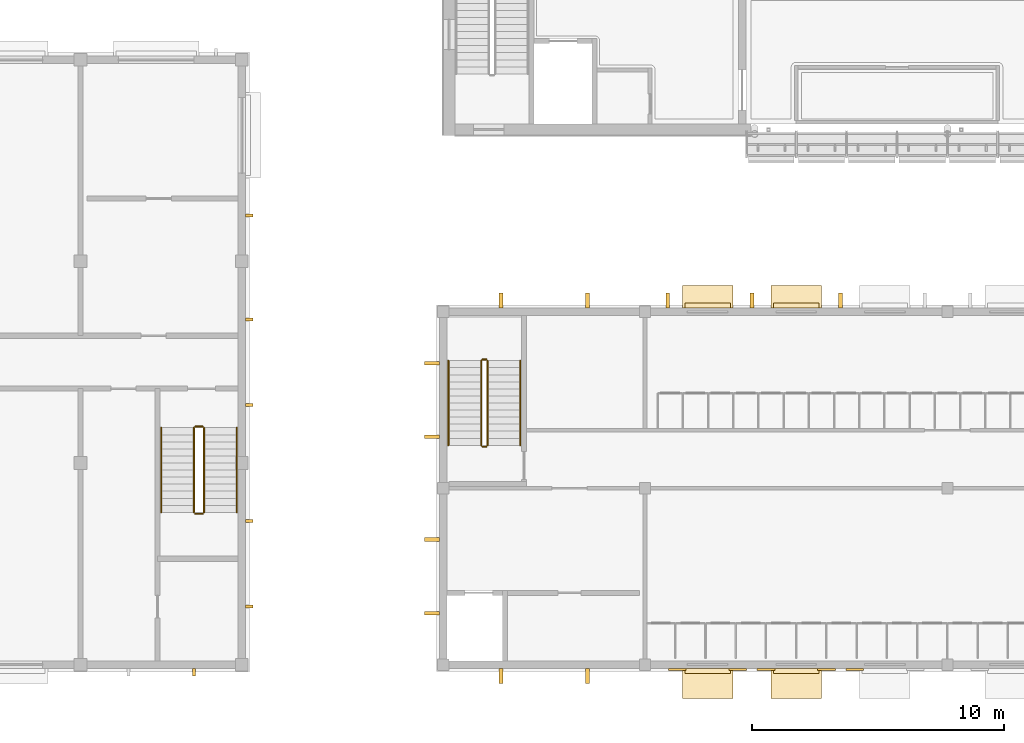
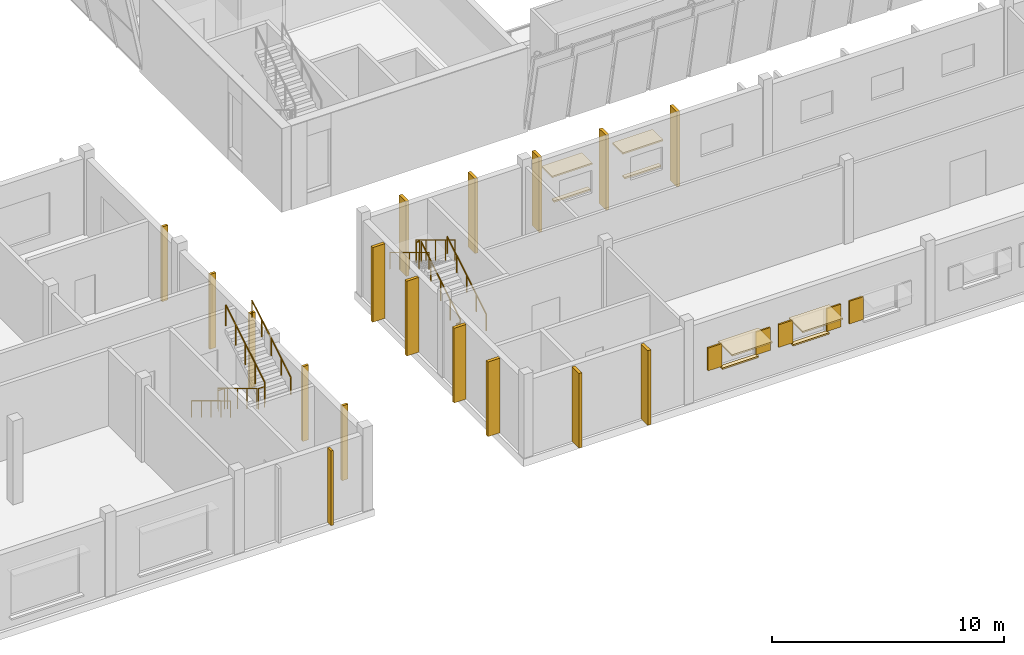
# One storey, part 95 of 115: 22 shading devices, 12 railings, 8 coverings.
"""IFC4 building model written with IfcOpenShell, lengths in metres."""

from ifc_helpers import new_model, si_unit, direction, frame, origin, origin_2d, place, context, subcontext, project, spatial, polyline, circle, outline, extrude, material, layer, layer_set, type_object, element, save


model = new_model("IFC4")

# Units and contexts
model_context = context("Model", 3, precision=1e-05, world=origin(), true_north=direction((0.0, 1.0)))
body_context = subcontext(model_context, "Body", "Model", "MODEL_VIEW")
ifc_project = project(units=[si_unit("LENGTHUNIT", "METRE"), si_unit("AREAUNIT", "SQUARE_METRE"), si_unit("VOLUMEUNIT", "CUBIC_METRE"), si_unit("PLANEANGLEUNIT", "RADIAN"), si_unit("MASSUNIT", "GRAM", prefix="KILO")], contexts=[model_context])

# Site, building, storey
site_placement = place(None, origin())
site = spatial("IfcSite", under=ifc_project, at=site_placement, CompositionType="ELEMENT")
building_placement = place(site_placement, origin())
building = spatial("IfcBuilding", under=site, at=building_placement, Name="Windward Yard Aquatics Centre", CompositionType="ELEMENT")
storey_placement = place(building_placement, frame((0.0, 0.0, 5.0)))
storey = spatial("IfcBuildingStorey", under=building, at=storey_placement, Name="L01", CompositionType="ELEMENT", Elevation=5.0)

# Railings
ifc_material_1 = material(Name="Stainless steel 1.4401", Category="steel")
railing_type_1 = type_object("IfcRailingType", Name="C Village stair 1 stair guard", PredefinedType="GUARDRAIL", material=ifc_material_1)
railing_1_placement = place(storey_placement, frame((53.75, 13.699951171875, 0.169189453125)))
element("IfcRailing", 1, at=railing_1_placement, inside=storey, type_object=railing_type_1, Name="L01 C-ST1 stair guard 1", PredefinedType="GUARDRAIL", context=body_context, shape_type="SweptSolid", body=[
    extrude(circle(Radius=0.02392578125, at=origin_2d()), frame((0.0, 0.0, 1.076171875), z_axis=(0.0, 0.855836976705, 0.517245656632), x_axis=(-1.0, 0.0, 0.0)), (0.0, 0.0, 1.0), 3.926025390625),
    extrude(circle(Radius=0.02099609375, at=origin_2d()), origin(), (0.0, 0.0, 1.0), 1.052001953125),
    extrude(circle(Radius=0.02099609375, at=origin_2d()), frame((0.0, 0.840087890625, 0.5078125)), (0.0, 0.0, 1.0), 1.052001953125),
    extrude(circle(Radius=0.02099609375, at=origin_2d()), frame((0.0, 1.68017578125, 1.015380859375)), (0.0, 0.0, 1.0), 1.052001953125),
    extrude(circle(Radius=0.02099609375, at=origin_2d()), frame((0.0, 2.52001953125, 1.52294921875)), (0.0, 0.0, 1.0), 1.052001953125),
    extrude(circle(Radius=0.02099609375, at=origin_2d()), frame((0.0, 3.360107421875, 2.03076171875)), (0.0, 0.0, 1.0), 1.052001953125),
])
railing_2_placement = place(storey_placement, frame((53.699951171875, 17.110107421875, 2.199951171875)))
element("IfcRailing", 2, at=railing_2_placement, inside=storey, type_object=railing_type_1, Name="L01 C-ST1 stair guard 2", PredefinedType="GUARDRAIL", context=body_context, shape_type="SweptSolid", body=[
    extrude(circle(Radius=0.02392578125, at=origin_2d()), frame((0.0, 0.0, 1.076171875), z_axis=(-1.0, 0.0, 0.0), x_axis=(0.0, -1.0, 0.0)), (0.0, 0.0, 1.0), 0.14990234375),
    extrude(circle(Radius=0.02099609375, at=origin_2d()), origin(), (0.0, 0.0, 1.0), 1.052001953125),
    extrude(circle(Radius=0.02099609375, at=origin_2d()), frame((-0.14990234375, 0.0, 0.0)), (0.0, 0.0, 1.0), 1.052001953125),
])
railing_3_placement = place(storey_placement, frame((53.5, 17.06005859375, 2.369140625)))
element("IfcRailing", 3, at=railing_3_placement, inside=storey, type_object=railing_type_1, Name="L01 C-ST1 stair guard 3", PredefinedType="GUARDRAIL", context=body_context, shape_type="SweptSolid", body=[
    extrude(circle(Radius=0.02392578125, at=origin_2d()), frame((0.0, 0.0, 1.076171875), z_axis=(0.0, -0.855836976705, 0.517245656632), x_axis=(1.0, 0.0, 0.0)), (0.0, 0.0, 1.0), 3.926025390625),
    extrude(circle(Radius=0.02099609375, at=origin_2d()), origin(), (0.0, 0.0, 1.0), 1.052001953125),
    extrude(circle(Radius=0.02099609375, at=origin_2d()), frame((0.0, -0.840087890625, 0.5078125)), (0.0, 0.0, 1.0), 1.052001953125),
    extrude(circle(Radius=0.02099609375, at=origin_2d()), frame((0.0, -1.68017578125, 1.015380859375)), (0.0, 0.0, 1.0), 1.052001953125),
    extrude(circle(Radius=0.02099609375, at=origin_2d()), frame((0.0, -2.52001953125, 1.52294921875)), (0.0, 0.0, 1.0), 1.052001953125),
    extrude(circle(Radius=0.02099609375, at=origin_2d()), frame((0.0, -3.360107421875, 2.03076171875)), (0.0, 0.0, 1.0), 1.052001953125),
])
railing_4_placement = place(storey_placement, frame((53.699951171875, 13.64990234375, 0.0)))
element("IfcRailing", 4, at=railing_4_placement, inside=storey, type_object=railing_type_1, Name="L01 C-ST1 stair guard 4", PredefinedType="GUARDRAIL", context=body_context, shape_type="SweptSolid", body=[
    extrude(circle(Radius=0.02392578125, at=origin_2d()), frame((0.0, 0.0, 1.076171875), z_axis=(-1.0, 0.0, 0.0), x_axis=(0.0, -1.0, 0.0)), (0.0, 0.0, 1.0), 0.14990234375),
    extrude(circle(Radius=0.02099609375, at=origin_2d()), origin(), (0.0, 0.0, 1.0), 1.052001953125),
    extrude(circle(Radius=0.02099609375, at=origin_2d()), frame((-0.14990234375, 0.0, 0.0)), (0.0, 0.0, 1.0), 1.052001953125),
])
railing_type_2 = type_object("IfcRailingType", Name="C Village stair 1 stair handrail", PredefinedType="HANDRAIL", material=ifc_material_1)
railing_5_placement = place(storey_placement, frame((55.050048828125, 13.699951171875, 0.169189453125)))
element("IfcRailing", 5, at=railing_5_placement, inside=storey, type_object=railing_type_2, Name="L01 C-ST1 stair handrail 1", PredefinedType="HANDRAIL", context=body_context, shape_type="SweptSolid", body=[
    extrude(circle(Radius=0.02392578125, at=origin_2d()), frame((0.0, 0.0, 0.8759765625), z_axis=(0.0, 0.855836976705, 0.517245656632), x_axis=(-1.0, 0.0, 0.0)), (0.0, 0.0, 1.0), 3.926025390625),
    extrude(circle(Radius=0.02099609375, at=origin_2d()), origin(), (0.0, 0.0, 1.0), 0.851806640625),
    extrude(circle(Radius=0.02099609375, at=origin_2d()), frame((0.0, 0.840087890625, 0.5078125)), (0.0, 0.0, 1.0), 0.851806640625),
    extrude(circle(Radius=0.02099609375, at=origin_2d()), frame((0.0, 1.68017578125, 1.015380859375)), (0.0, 0.0, 1.0), 0.851806640625),
    extrude(circle(Radius=0.02099609375, at=origin_2d()), frame((0.0, 2.52001953125, 1.52294921875)), (0.0, 0.0, 1.0), 0.851806640625),
    extrude(circle(Radius=0.02099609375, at=origin_2d()), frame((0.0, 3.360107421875, 2.03076171875)), (0.0, 0.0, 1.0), 0.851806640625),
])
railing_6_placement = place(storey_placement, frame((52.199951171875, 17.06005859375, 2.369140625)))
element("IfcRailing", 6, at=railing_6_placement, inside=storey, type_object=railing_type_2, Name="L01 C-ST1 stair handrail 2", PredefinedType="HANDRAIL", context=body_context, shape_type="SweptSolid", body=[
    extrude(circle(Radius=0.02392578125, at=origin_2d()), frame((0.0, 0.0, 0.8759765625), z_axis=(0.0, -0.855836976705, 0.517245656632), x_axis=(1.0, 0.0, 0.0)), (0.0, 0.0, 1.0), 3.926025390625),
    extrude(circle(Radius=0.02099609375, at=origin_2d()), origin(), (0.0, 0.0, 1.0), 0.851806640625),
    extrude(circle(Radius=0.02099609375, at=origin_2d()), frame((0.0, -0.840087890625, 0.5078125)), (0.0, 0.0, 1.0), 0.851806640625),
    extrude(circle(Radius=0.02099609375, at=origin_2d()), frame((0.0, -1.68017578125, 1.015380859375)), (0.0, 0.0, 1.0), 0.851806640625),
    extrude(circle(Radius=0.02099609375, at=origin_2d()), frame((0.0, -2.52001953125, 1.52294921875)), (0.0, 0.0, 1.0), 0.851806640625),
    extrude(circle(Radius=0.02099609375, at=origin_2d()), frame((0.0, -3.360107421875, 2.03076171875)), (0.0, 0.0, 1.0), 0.851806640625),
])

# Shading devices
ifc_material_2 = material(Name="Aluminium louvre blades, powder coated", Category="aluminium")
ifc_layer_1 = layer(ifc_material_2, 0.080078125)
ifc_layer_set_1 = layer_set([ifc_layer_1], Name="C storm shutter louvred 700x1200")
shading_device_type_1 = type_object("IfcShadingDeviceType", Name="C storm shutter louvred 700x1200", PredefinedType="SHUTTER", material=ifc_layer_set_1)
shading_device_1_placement = place(storey_placement, frame((0.0, 0.0, 1.39990234375)))
element("IfcShadingDevice", 7, at=shading_device_1_placement, inside=storey, type_object=shading_device_type_1, Name="Storm shutter CW1001L", PredefinedType="SHUTTER", context=body_context, shape_type="SweptSolid", body=[
    extrude(outline(polyline([(60.933349609375, 4.77001953125), (60.933349609375, 4.85009765625), (61.63330078125, 4.85009765625), (61.63330078125, 4.77001953125), (60.933349609375, 4.77001953125)])), origin(), (0.0, 0.0, 1.0), 1.2001953125),
])
shading_device_2_placement = place(storey_placement, frame((0.0, 0.0, 1.39990234375)))
element("IfcShadingDevice", 8, at=shading_device_2_placement, inside=storey, type_object=shading_device_type_1, Name="Storm shutter CW1001R", PredefinedType="SHUTTER", context=body_context, shape_type="SweptSolid", body=[
    extrude(outline(polyline([(63.333251953125, 4.77001953125), (63.333251953125, 4.85009765625), (64.033203125, 4.85009765625), (64.033203125, 4.77001953125), (63.333251953125, 4.77001953125)])), origin(), (0.0, 0.0, 1.0), 1.2001953125),
])
shading_device_3_placement = place(storey_placement, frame((0.0, 0.0, 1.39990234375)))
element("IfcShadingDevice", 9, at=shading_device_3_placement, inside=storey, type_object=shading_device_type_1, Name="Storm shutter CW1002L", PredefinedType="SHUTTER", context=body_context, shape_type="SweptSolid", body=[
    extrude(outline(polyline([(64.449951171875, 4.77001953125), (64.449951171875, 4.85009765625), (65.14990234375, 4.85009765625), (65.14990234375, 4.77001953125), (64.449951171875, 4.77001953125)])), origin(), (0.0, 0.0, 1.0), 1.2001953125),
])
shading_device_4_placement = place(storey_placement, frame((0.0, 0.0, 1.39990234375)))
element("IfcShadingDevice", 10, at=shading_device_4_placement, inside=storey, type_object=shading_device_type_1, Name="Storm shutter CW1002R", PredefinedType="SHUTTER", context=body_context, shape_type="SweptSolid", body=[
    extrude(outline(polyline([(66.85009765625, 4.77001953125), (66.85009765625, 4.85009765625), (67.550048828125, 4.85009765625), (67.550048828125, 4.77001953125), (66.85009765625, 4.77001953125)])), origin(), (0.0, 0.0, 1.0), 1.2001953125),
])
shading_device_5_placement = place(storey_placement, frame((0.0, 0.0, 1.39990234375)))
element("IfcShadingDevice", 11, at=shading_device_5_placement, inside=storey, type_object=shading_device_type_1, Name="Storm shutter CW1003L", PredefinedType="SHUTTER", context=body_context, shape_type="SweptSolid", body=[
    extrude(outline(polyline([(67.966796875, 4.77001953125), (67.966796875, 4.85009765625), (68.666748046875, 4.85009765625), (68.666748046875, 4.77001953125), (67.966796875, 4.77001953125)])), origin(), (0.0, 0.0, 1.0), 1.2001953125),
])
ifc_material_3 = material(Name="Aluminium fin, powder coated", Category="aluminium")
shading_device_type_2 = type_object("IfcShadingDeviceType", Name="C vertical fin 150x600", PredefinedType="USERDEFINED", material=ifc_material_3)
shading_device_6_placement = place(storey_placement, origin())
element("IfcShadingDevice", 12, at=shading_device_6_placement, inside=storey, type_object=shading_device_type_2, Name="Vertical fin C.W.L01.N1.1.1", ObjectType="FIN", PredefinedType="USERDEFINED", context=body_context, shape_type="SweptSolid", body=[
    extrude(outline(polyline([(54.21240234375, 19.14990234375), (54.362548828125, 19.14990234375), (54.362548828125, 19.75), (54.21240234375, 19.75), (54.21240234375, 19.14990234375)])), origin(), (0.0, 0.0, 1.0), 3.929931640625),
])
shading_device_7_placement = place(storey_placement, origin())
element("IfcShadingDevice", 13, at=shading_device_7_placement, inside=storey, type_object=shading_device_type_2, Name="Vertical fin C.W.L01.N1.1.2", ObjectType="FIN", PredefinedType="USERDEFINED", context=body_context, shape_type="SweptSolid", body=[
    extrude(outline(polyline([(57.637451171875, 19.14990234375), (57.78759765625, 19.14990234375), (57.78759765625, 19.75), (57.637451171875, 19.75), (57.637451171875, 19.14990234375)])), origin(), (0.0, 0.0, 1.0), 3.929931640625),
])
shading_device_8_placement = place(storey_placement, origin())
element("IfcShadingDevice", 14, at=shading_device_8_placement, inside=storey, type_object=shading_device_type_2, Name="Vertical fin C.W.L01.N2.1.1", ObjectType="FIN", PredefinedType="USERDEFINED", context=body_context, shape_type="SweptSolid", body=[
    extrude(outline(polyline([(60.8291015625, 19.14990234375), (60.979248046875, 19.14990234375), (60.979248046875, 19.75), (60.8291015625, 19.75), (60.8291015625, 19.14990234375)])), origin(), (0.0, 0.0, 1.0), 3.929931640625),
])
shading_device_9_placement = place(storey_placement, origin())
element("IfcShadingDevice", 15, at=shading_device_9_placement, inside=storey, type_object=shading_device_type_2, Name="Vertical fin C.W.L01.N2.2.1", ObjectType="FIN", PredefinedType="USERDEFINED", context=body_context, shape_type="SweptSolid", body=[
    extrude(outline(polyline([(64.166748046875, 19.14990234375), (64.316650390625, 19.14990234375), (64.316650390625, 19.75), (64.166748046875, 19.75), (64.166748046875, 19.14990234375)])), origin(), (0.0, 0.0, 1.0), 3.929931640625),
])
shading_device_10_placement = place(storey_placement, origin())
element("IfcShadingDevice", 16, at=shading_device_10_placement, inside=storey, type_object=shading_device_type_2, Name="Vertical fin C.W.L01.N2.3.1", ObjectType="FIN", PredefinedType="USERDEFINED", context=body_context, shape_type="SweptSolid", body=[
    extrude(outline(polyline([(67.683349609375, 19.14990234375), (67.833251953125, 19.14990234375), (67.833251953125, 19.75), (67.683349609375, 19.75), (67.683349609375, 19.14990234375)])), origin(), (0.0, 0.0, 1.0), 3.929931640625),
])
shading_device_11_placement = place(storey_placement, origin())
element("IfcShadingDevice", 17, at=shading_device_11_placement, inside=storey, type_object=shading_device_type_2, Name="Vertical fin C.W.L01.S1.1.1", ObjectType="FIN", PredefinedType="USERDEFINED", context=body_context, shape_type="SweptSolid", body=[
    extrude(outline(polyline([(54.21240234375, 4.25), (54.21240234375, 4.85009765625), (54.362548828125, 4.85009765625), (54.362548828125, 4.25), (54.21240234375, 4.25)])), origin(), (0.0, 0.0, 1.0), 3.929931640625),
])
shading_device_12_placement = place(storey_placement, origin())
element("IfcShadingDevice", 18, at=shading_device_12_placement, inside=storey, type_object=shading_device_type_2, Name="Vertical fin C.W.L01.S1.1.2", ObjectType="FIN", PredefinedType="USERDEFINED", context=body_context, shape_type="SweptSolid", body=[
    extrude(outline(polyline([(57.637451171875, 4.25), (57.637451171875, 4.85009765625), (57.78759765625, 4.85009765625), (57.78759765625, 4.25), (57.637451171875, 4.25)])), origin(), (0.0, 0.0, 1.0), 3.929931640625),
])
shading_device_13_placement = place(storey_placement, origin())
element("IfcShadingDevice", 19, at=shading_device_13_placement, inside=storey, type_object=shading_device_type_2, Name="Vertical fin C.W.L01.W1.1.1", ObjectType="FIN", PredefinedType="USERDEFINED", context=body_context, shape_type="SweptSolid", body=[
    extrude(outline(polyline([(51.25, 6.96240234375), (51.85009765625, 6.96240234375), (51.85009765625, 7.112548828125), (51.25, 7.112548828125), (51.25, 6.96240234375)])), origin(), (0.0, 0.0, 1.0), 3.929931640625),
])
shading_device_14_placement = place(storey_placement, origin())
element("IfcShadingDevice", 20, at=shading_device_14_placement, inside=storey, type_object=shading_device_type_2, Name="Vertical fin C.W.L01.W1.1.2", ObjectType="FIN", PredefinedType="USERDEFINED", context=body_context, shape_type="SweptSolid", body=[
    extrude(outline(polyline([(51.25, 9.887451171875), (51.85009765625, 9.887451171875), (51.85009765625, 10.03759765625), (51.25, 10.03759765625), (51.25, 9.887451171875)])), origin(), (0.0, 0.0, 1.0), 3.929931640625),
])
shading_device_15_placement = place(storey_placement, origin())
element("IfcShadingDevice", 21, at=shading_device_15_placement, inside=storey, type_object=shading_device_type_2, Name="Vertical fin C.W.L01.W2.1.1", ObjectType="FIN", PredefinedType="USERDEFINED", context=body_context, shape_type="SweptSolid", body=[
    extrude(outline(polyline([(51.25, 13.96240234375), (51.85009765625, 13.96240234375), (51.85009765625, 14.112548828125), (51.25, 14.112548828125), (51.25, 13.96240234375)])), origin(), (0.0, 0.0, 1.0), 3.929931640625),
])
shading_device_16_placement = place(storey_placement, origin())
element("IfcShadingDevice", 22, at=shading_device_16_placement, inside=storey, type_object=shading_device_type_2, Name="Vertical fin C.W.L01.W2.1.2", ObjectType="FIN", PredefinedType="USERDEFINED", context=body_context, shape_type="SweptSolid", body=[
    extrude(outline(polyline([(51.25, 16.887451171875), (51.85009765625, 16.887451171875), (51.85009765625, 17.03759765625), (51.25, 17.03759765625), (51.25, 16.887451171875)])), origin(), (0.0, 0.0, 1.0), 3.929931640625),
])

# Coverings
ifc_material_4 = material(Name="Aluminium composite hood, powder coated", Category="aluminium")
ifc_layer_2 = layer(ifc_material_4, 0.080078125)
ifc_layer_set_2 = layer_set([ifc_layer_2], Name="C window hood aluminium 2000x1200")
covering_type_1 = type_object("IfcCoveringType", Name="C window hood aluminium 2000x1200", PredefinedType="CLADDING", material=ifc_layer_set_2)
covering_1_placement = place(storey_placement, frame((0.0, 0.0, 2.64990234375)))
element("IfcCovering", 23, at=covering_1_placement, inside=storey, type_object=covering_type_1, Name="Window hood CW1001", PredefinedType="CLADDING", context=body_context, shape_type="SweptSolid", body=[
    extrude(outline(polyline([(61.4833984375, 3.64990234375), (61.4833984375, 4.85009765625), (63.4833984375, 4.85009765625), (63.4833984375, 3.64990234375), (61.4833984375, 3.64990234375)])), origin(), (0.0, 0.0, 1.0), 0.080078125),
])
covering_2_placement = place(storey_placement, frame((0.0, 0.0, 2.64990234375)))
element("IfcCovering", 24, at=covering_2_placement, inside=storey, type_object=covering_type_1, Name="Window hood CW1002", PredefinedType="CLADDING", context=body_context, shape_type="SweptSolid", body=[
    extrude(outline(polyline([(65.0, 3.64990234375), (65.0, 4.85009765625), (67.0, 4.85009765625), (67.0, 3.64990234375), (65.0, 3.64990234375)])), origin(), (0.0, 0.0, 1.0), 0.080078125),
])
ifc_layer_3 = layer(ifc_material_4, 0.080078125)
ifc_layer_set_3 = layer_set([ifc_layer_3], Name="C window hood aluminium 2000x900")
covering_type_2 = type_object("IfcCoveringType", Name="C window hood aluminium 2000x900", PredefinedType="CLADDING", material=ifc_layer_set_3)
covering_3_placement = place(storey_placement, frame((0.0, 0.0, 2.64990234375)))
element("IfcCovering", 25, at=covering_3_placement, inside=storey, type_object=covering_type_2, Name="Window hood CW1022", PredefinedType="CLADDING", context=body_context, shape_type="SweptSolid", body=[
    extrude(outline(polyline([(61.4833984375, 19.14990234375), (63.4833984375, 19.14990234375), (63.4833984375, 20.050048828125), (61.4833984375, 20.050048828125), (61.4833984375, 19.14990234375)])), origin(), (0.0, 0.0, 1.0), 0.080078125),
])
covering_4_placement = place(storey_placement, frame((0.0, 0.0, 2.64990234375)))
element("IfcCovering", 26, at=covering_4_placement, inside=storey, type_object=covering_type_2, Name="Window hood CW1023", PredefinedType="CLADDING", context=body_context, shape_type="SweptSolid", body=[
    extrude(outline(polyline([(65.0, 19.14990234375), (67.0, 19.14990234375), (67.0, 20.050048828125), (65.0, 20.050048828125), (65.0, 19.14990234375)])), origin(), (0.0, 0.0, 1.0), 0.080078125),
])
ifc_material_5 = material(Name="Limestone sill", Category="masonry")
ifc_layer_4 = layer(ifc_material_5, 0.080078125)
ifc_layer_set_4 = layer_set([ifc_layer_4], Name="C window sill stone 1800x200")
covering_type_3 = type_object("IfcCoveringType", Name="C window sill stone 1800x200", PredefinedType="CLADDING", material=ifc_layer_set_4)
covering_5_placement = place(storey_placement, frame((0.0, 0.0, 1.320068359375)))
element("IfcCovering", 27, at=covering_5_placement, inside=storey, type_object=covering_type_3, Name="Window sill CW1022", PredefinedType="CLADDING", context=body_context, shape_type="SweptSolid", body=[
    extrude(outline(polyline([(61.583251953125, 19.14990234375), (63.38330078125, 19.14990234375), (63.38330078125, 19.35009765625), (61.583251953125, 19.35009765625), (61.583251953125, 19.14990234375)])), origin(), (0.0, 0.0, 1.0), 0.079833984375),
])
covering_6_placement = place(storey_placement, frame((0.0, 0.0, 1.320068359375)))
element("IfcCovering", 28, at=covering_6_placement, inside=storey, type_object=covering_type_3, Name="Window sill CW1023", PredefinedType="CLADDING", context=body_context, shape_type="SweptSolid", body=[
    extrude(outline(polyline([(65.10009765625, 19.14990234375), (66.89990234375, 19.14990234375), (66.89990234375, 19.35009765625), (65.10009765625, 19.35009765625), (65.10009765625, 19.14990234375)])), origin(), (0.0, 0.0, 1.0), 0.079833984375),
])
covering_7_placement = place(storey_placement, frame((0.0, 0.0, 1.320068359375)))
element("IfcCovering", 29, at=covering_7_placement, inside=storey, type_object=covering_type_3, Name="Window sill CW1001", PredefinedType="CLADDING", context=body_context, shape_type="SweptSolid", body=[
    extrude(outline(polyline([(61.583251953125, 4.64990234375), (61.583251953125, 4.85009765625), (63.38330078125, 4.85009765625), (63.38330078125, 4.64990234375), (61.583251953125, 4.64990234375)])), origin(), (0.0, 0.0, 1.0), 0.079833984375),
])
covering_8_placement = place(storey_placement, frame((0.0, 0.0, 1.320068359375)))
element("IfcCovering", 30, at=covering_8_placement, inside=storey, type_object=covering_type_3, Name="Window sill CW1002", PredefinedType="CLADDING", context=body_context, shape_type="SweptSolid", body=[
    extrude(outline(polyline([(65.10009765625, 4.64990234375), (65.10009765625, 4.85009765625), (66.89990234375, 4.85009765625), (66.89990234375, 4.64990234375), (65.10009765625, 4.64990234375)])), origin(), (0.0, 0.0, 1.0), 0.079833984375),
])

# Railings
railing_type_3 = type_object("IfcRailingType", Name="P Plant stair 2 stair guard", PredefinedType="GUARDRAIL", material=ifc_material_1)
railing_7_placement = place(storey_placement, frame((42.10009765625, 14.39990234375, 0.169189453125)))
element("IfcRailing", 31, at=railing_7_placement, inside=storey, type_object=railing_type_3, Name="L01 P-ST2 stair guard 1", PredefinedType="GUARDRAIL", context=body_context, shape_type="SweptSolid", body=[
    extrude(circle(Radius=0.02392578125, at=origin_2d()), frame((0.0, 0.0, 1.076171875), z_axis=(0.0, -0.855820338506, 0.51727318527), x_axis=(1.0, 0.0, 0.0)), (0.0, 0.0, 1.0), 3.92578125),
    extrude(circle(Radius=0.02099609375, at=origin_2d()), origin(), (0.0, 0.0, 1.0), 1.052001953125),
    extrude(circle(Radius=0.02099609375, at=origin_2d()), frame((0.0, -0.83984375, 0.5078125)), (0.0, 0.0, 1.0), 1.052001953125),
    extrude(circle(Radius=0.02099609375, at=origin_2d()), frame((0.0, -1.679931640625, 1.015380859375)), (0.0, 0.0, 1.0), 1.052001953125),
    extrude(circle(Radius=0.02099609375, at=origin_2d()), frame((0.0, -2.52001953125, 1.52294921875)), (0.0, 0.0, 1.0), 1.052001953125),
    extrude(circle(Radius=0.02099609375, at=origin_2d()), frame((0.0, -3.35986328125, 2.03076171875)), (0.0, 0.0, 1.0), 1.052001953125),
])
railing_8_placement = place(storey_placement, frame((42.14990234375, 10.989990234375, 2.199951171875)))
element("IfcRailing", 32, at=railing_8_placement, inside=storey, type_object=railing_type_3, Name="L01 P-ST2 stair guard 2", PredefinedType="GUARDRAIL", context=body_context, shape_type="SweptSolid", body=[
    extrude(circle(Radius=0.02392578125, at=origin_2d()), frame((0.0, 0.0, 1.076171875), z_axis=(1.0, 0.0, 0.0), x_axis=(0.0, 1.0, 0.0)), (0.0, 0.0, 1.0), 0.300048828125),
    extrude(circle(Radius=0.02099609375, at=origin_2d()), origin(), (0.0, 0.0, 1.0), 1.052001953125),
    extrude(circle(Radius=0.02099609375, at=origin_2d()), frame((0.300048828125, 0.0, 0.0)), (0.0, 0.0, 1.0), 1.052001953125),
])
railing_9_placement = place(storey_placement, frame((42.5, 11.0400390625, 2.369140625)))
element("IfcRailing", 33, at=railing_9_placement, inside=storey, type_object=railing_type_3, Name="L01 P-ST2 stair guard 3", PredefinedType="GUARDRAIL", context=body_context, shape_type="SweptSolid", body=[
    extrude(circle(Radius=0.02392578125, at=origin_2d()), frame((0.0, 0.0, 1.076171875), z_axis=(0.0, 0.855820338506, 0.51727318527), x_axis=(-1.0, 0.0, 0.0)), (0.0, 0.0, 1.0), 3.92578125),
    extrude(circle(Radius=0.02099609375, at=origin_2d()), origin(), (0.0, 0.0, 1.0), 1.052001953125),
    extrude(circle(Radius=0.02099609375, at=origin_2d()), frame((0.0, 0.83984375, 0.5078125)), (0.0, 0.0, 1.0), 1.052001953125),
    extrude(circle(Radius=0.02099609375, at=origin_2d()), frame((0.0, 1.679931640625, 1.015380859375)), (0.0, 0.0, 1.0), 1.052001953125),
    extrude(circle(Radius=0.02099609375, at=origin_2d()), frame((0.0, 2.52001953125, 1.52294921875)), (0.0, 0.0, 1.0), 1.052001953125),
    extrude(circle(Radius=0.02099609375, at=origin_2d()), frame((0.0, 3.35986328125, 2.03076171875)), (0.0, 0.0, 1.0), 1.052001953125),
])
railing_10_placement = place(storey_placement, frame((42.14990234375, 14.449951171875, 0.0)))
element("IfcRailing", 34, at=railing_10_placement, inside=storey, type_object=railing_type_3, Name="L01 P-ST2 stair guard 4", PredefinedType="GUARDRAIL", context=body_context, shape_type="SweptSolid", body=[
    extrude(circle(Radius=0.02392578125, at=origin_2d()), frame((0.0, 0.0, 1.076171875), z_axis=(1.0, 0.0, 0.0), x_axis=(0.0, 1.0, 0.0)), (0.0, 0.0, 1.0), 0.300048828125),
    extrude(circle(Radius=0.02099609375, at=origin_2d()), origin(), (0.0, 0.0, 1.0), 1.052001953125),
    extrude(circle(Radius=0.02099609375, at=origin_2d()), frame((0.300048828125, 0.0, 0.0)), (0.0, 0.0, 1.0), 1.052001953125),
])
railing_type_4 = type_object("IfcRailingType", Name="P Plant stair 2 stair handrail", PredefinedType="HANDRAIL", material=ifc_material_1)
railing_11_placement = place(storey_placement, frame((40.800048828125, 14.39990234375, 0.169189453125)))
element("IfcRailing", 35, at=railing_11_placement, inside=storey, type_object=railing_type_4, Name="L01 P-ST2 stair handrail 1", PredefinedType="HANDRAIL", context=body_context, shape_type="SweptSolid", body=[
    extrude(circle(Radius=0.02392578125, at=origin_2d()), frame((0.0, 0.0, 0.8759765625), z_axis=(0.0, -0.855820338506, 0.51727318527), x_axis=(1.0, 0.0, 0.0)), (0.0, 0.0, 1.0), 3.92578125),
    extrude(circle(Radius=0.02099609375, at=origin_2d()), origin(), (0.0, 0.0, 1.0), 0.851806640625),
    extrude(circle(Radius=0.02099609375, at=origin_2d()), frame((0.0, -0.83984375, 0.5078125)), (0.0, 0.0, 1.0), 0.851806640625),
    extrude(circle(Radius=0.02099609375, at=origin_2d()), frame((0.0, -1.679931640625, 1.015380859375)), (0.0, 0.0, 1.0), 0.851806640625),
    extrude(circle(Radius=0.02099609375, at=origin_2d()), frame((0.0, -2.52001953125, 1.52294921875)), (0.0, 0.0, 1.0), 0.851806640625),
    extrude(circle(Radius=0.02099609375, at=origin_2d()), frame((0.0, -3.35986328125, 2.03076171875)), (0.0, 0.0, 1.0), 0.851806640625),
])
railing_12_placement = place(storey_placement, frame((43.800048828125, 11.0400390625, 2.369140625)))
element("IfcRailing", 36, at=railing_12_placement, inside=storey, type_object=railing_type_4, Name="L01 P-ST2 stair handrail 2", PredefinedType="HANDRAIL", context=body_context, shape_type="SweptSolid", body=[
    extrude(circle(Radius=0.02392578125, at=origin_2d()), frame((0.0, 0.0, 0.8759765625), z_axis=(0.0, 0.855820338506, 0.51727318527), x_axis=(-1.0, 0.0, 0.0)), (0.0, 0.0, 1.0), 3.92578125),
    extrude(circle(Radius=0.02099609375, at=origin_2d()), origin(), (0.0, 0.0, 1.0), 0.851806640625),
    extrude(circle(Radius=0.02099609375, at=origin_2d()), frame((0.0, 0.83984375, 0.5078125)), (0.0, 0.0, 1.0), 0.851806640625),
    extrude(circle(Radius=0.02099609375, at=origin_2d()), frame((0.0, 1.679931640625, 1.015380859375)), (0.0, 0.0, 1.0), 0.851806640625),
    extrude(circle(Radius=0.02099609375, at=origin_2d()), frame((0.0, 2.52001953125, 1.52294921875)), (0.0, 0.0, 1.0), 0.851806640625),
    extrude(circle(Radius=0.02099609375, at=origin_2d()), frame((0.0, 3.35986328125, 2.03076171875)), (0.0, 0.0, 1.0), 0.851806640625),
])

# Shading devices
shading_device_type_3 = type_object("IfcShadingDeviceType", Name="P vertical fin 120x300", PredefinedType="USERDEFINED", material=ifc_material_3)
shading_device_17_placement = place(storey_placement, origin())
element("IfcShadingDevice", 37, at=shading_device_17_placement, inside=storey, type_object=shading_device_type_3, Name="Vertical fin P.W.L01.E1.1.1", ObjectType="FIN", PredefinedType="USERDEFINED", context=body_context, shape_type="SweptSolid", body=[
    extrude(outline(polyline([(44.14990234375, 7.239990234375), (44.14990234375, 7.360107421875), (44.449951171875, 7.360107421875), (44.449951171875, 7.239990234375), (44.14990234375, 7.239990234375)])), origin(), (0.0, 0.0, 1.0), 3.929931640625),
])
shading_device_18_placement = place(storey_placement, origin())
element("IfcShadingDevice", 38, at=shading_device_18_placement, inside=storey, type_object=shading_device_type_3, Name="Vertical fin P.W.L01.E1.1.2", ObjectType="FIN", PredefinedType="USERDEFINED", context=body_context, shape_type="SweptSolid", body=[
    extrude(outline(polyline([(44.14990234375, 10.639892578125), (44.14990234375, 10.760009765625), (44.449951171875, 10.760009765625), (44.449951171875, 10.639892578125), (44.14990234375, 10.639892578125)])), origin(), (0.0, 0.0, 1.0), 3.929931640625),
])
shading_device_19_placement = place(storey_placement, origin())
element("IfcShadingDevice", 39, at=shading_device_19_placement, inside=storey, type_object=shading_device_type_3, Name="Vertical fin P.W.L01.E2.1.1", ObjectType="FIN", PredefinedType="USERDEFINED", context=body_context, shape_type="SweptSolid", body=[
    extrude(outline(polyline([(44.14990234375, 15.239990234375), (44.14990234375, 15.360107421875), (44.449951171875, 15.360107421875), (44.449951171875, 15.239990234375), (44.14990234375, 15.239990234375)])), origin(), (0.0, 0.0, 1.0), 3.929931640625),
])
shading_device_20_placement = place(storey_placement, origin())
element("IfcShadingDevice", 40, at=shading_device_20_placement, inside=storey, type_object=shading_device_type_3, Name="Vertical fin P.W.L01.E2.1.2", ObjectType="FIN", PredefinedType="USERDEFINED", context=body_context, shape_type="SweptSolid", body=[
    extrude(outline(polyline([(44.14990234375, 18.639892578125), (44.14990234375, 18.760009765625), (44.449951171875, 18.760009765625), (44.449951171875, 18.639892578125), (44.14990234375, 18.639892578125)])), origin(), (0.0, 0.0, 1.0), 3.929931640625),
])
shading_device_21_placement = place(storey_placement, origin())
element("IfcShadingDevice", 41, at=shading_device_21_placement, inside=storey, type_object=shading_device_type_3, Name="Vertical fin P.W.L01.E3.1.1", ObjectType="FIN", PredefinedType="USERDEFINED", context=body_context, shape_type="SweptSolid", body=[
    extrude(outline(polyline([(44.14990234375, 22.764892578125), (44.14990234375, 22.885009765625), (44.449951171875, 22.885009765625), (44.449951171875, 22.764892578125), (44.14990234375, 22.764892578125)])), origin(), (0.0, 0.0, 1.0), 3.929931640625),
])
shading_device_22_placement = place(storey_placement, origin())
element("IfcShadingDevice", 42, at=shading_device_22_placement, inside=storey, type_object=shading_device_type_3, Name="Vertical fin P.W.L01.S5.1.2", ObjectType="FIN", PredefinedType="USERDEFINED", context=body_context, shape_type="SweptSolid", body=[
    extrude(outline(polyline([(42.0400390625, 4.550048828125), (42.0400390625, 4.85009765625), (42.159912109375, 4.85009765625), (42.159912109375, 4.550048828125), (42.0400390625, 4.550048828125)])), origin(), (0.0, 0.0, 1.0), 3.929931640625),
])

save(model, "model.ifc")
